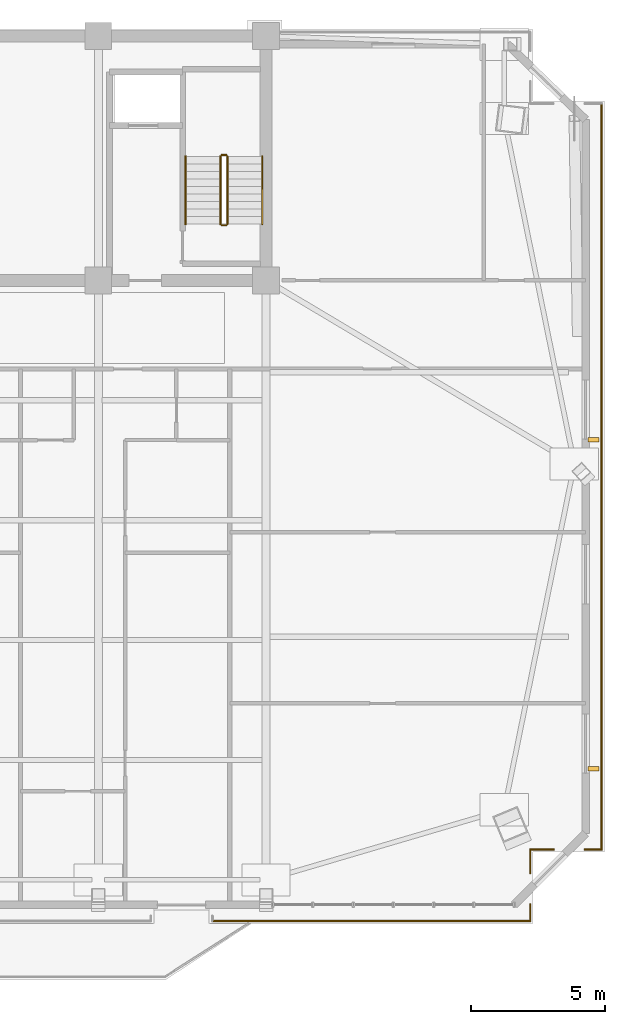
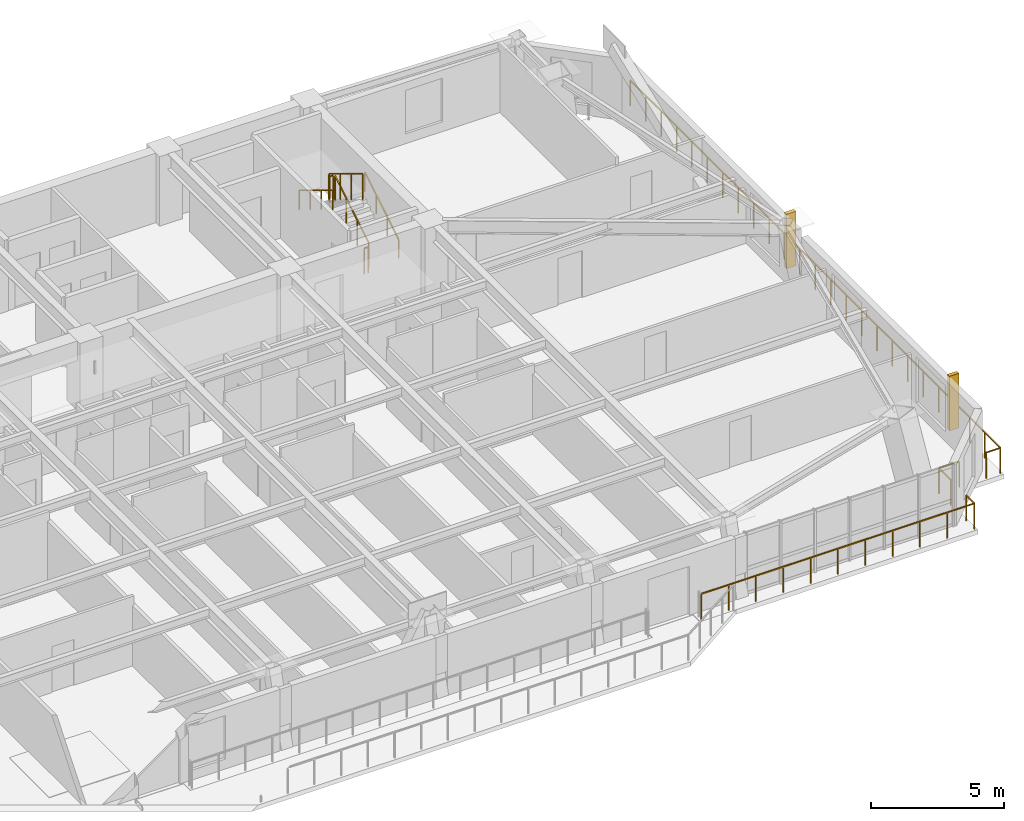
# One storey, part 17 of 18: 12 railings, 2 shading devices.
"""IFC4 building model written with IfcOpenShell, lengths in metres."""

from ifc_helpers import new_model, si_unit, direction, frame, origin, origin_2d, place, context, subcontext, project, spatial, rectangle, extrude, source, transform, mapped, material, type_object, element, save


model = new_model("IFC4")

# Units and contexts
model_context = context("Model", 3, precision=1e-05, world=origin(), true_north=direction((0.0, 1.0)))
body_context = subcontext(model_context, "Body", "Model", "MODEL_VIEW")
ifc_project = project(units=[si_unit("LENGTHUNIT", "METRE"), si_unit("AREAUNIT", "SQUARE_METRE"), si_unit("VOLUMEUNIT", "CUBIC_METRE"), si_unit("PLANEANGLEUNIT", "RADIAN"), si_unit("MASSUNIT", "GRAM", prefix="KILO")], contexts=[model_context])

# Site, building, storey
site_placement = place(None, origin())
site = spatial("IfcSite", under=ifc_project, at=site_placement, CompositionType="ELEMENT")
building_placement = place(site_placement, origin())
building = spatial("IfcBuilding", under=site, at=building_placement, Name="Giltprow Tower", CompositionType="ELEMENT")
storey_placement = place(building_placement, frame((0.0, 0.0, 245.10009765625)))
storey = spatial("IfcBuildingStorey", under=building, at=storey_placement, Name="L62", CompositionType="ELEMENT", Elevation=245.10009765625)

# Railings
ifc_material = material(Name="Anodized bronze", Category="metal")
railing_type_1 = type_object("IfcRailingType", Name="RAIL-BALC-GUARD-1200", PredefinedType="BALUSTRADE", material=ifc_material)
railing_1_placement = place(storey_placement, frame((63.052001953125, 44.0390625, 0.0)))
element("IfcRailing", 1, at=railing_1_placement, inside=storey, type_object=railing_type_1, Name="L62 Corner Apron Edge Balustrade 1", PredefinedType="BALUSTRADE", context=body_context, shape_type="SweptSolid", body=[
    extrude(rectangle(XDim=0.048095703125, YDim=0.048095703125, at=origin_2d()), frame((0.0, 0.0, 1.17578125), z_axis=(0.0, -1.0, 0.0), x_axis=(1.0, 0.0, 0.0)), (0.0, 0.0, 1.0), 27.796142578125),
    extrude(rectangle(XDim=0.0419921875, YDim=0.0419921875, at=origin_2d()), origin(), (0.0, 0.0, 1.0), 1.15185546875),
    extrude(rectangle(XDim=0.0419921875, YDim=0.0419921875, at=origin_2d()), frame((0.0, -1.158203125, 0.0)), (0.0, 0.0, 1.0), 1.15185546875),
    extrude(rectangle(XDim=0.0419921875, YDim=0.0419921875, at=origin_2d()), frame((0.0, -2.31640625, 0.0)), (0.0, 0.0, 1.0), 1.15185546875),
    extrude(rectangle(XDim=0.0419921875, YDim=0.0419921875, at=origin_2d()), frame((0.0, -3.474609375, 0.0)), (0.0, 0.0, 1.0), 1.15185546875),
    extrude(rectangle(XDim=0.0419921875, YDim=0.0419921875, at=origin_2d()), frame((0.0, -4.6328125, 0.0)), (0.0, 0.0, 1.0), 1.15185546875),
    extrude(rectangle(XDim=0.0419921875, YDim=0.0419921875, at=origin_2d()), frame((0.0, -5.790771484375, 0.0)), (0.0, 0.0, 1.0), 1.15185546875),
    extrude(rectangle(XDim=0.0419921875, YDim=0.0419921875, at=origin_2d()), frame((0.0, -6.948974609375, 0.0)), (0.0, 0.0, 1.0), 1.15185546875),
    extrude(rectangle(XDim=0.0419921875, YDim=0.0419921875, at=origin_2d()), frame((0.0, -8.107177734375, 0.0)), (0.0, 0.0, 1.0), 1.15185546875),
    extrude(rectangle(XDim=0.0419921875, YDim=0.0419921875, at=origin_2d()), frame((0.0, -9.265380859375, 0.0)), (0.0, 0.0, 1.0), 1.15185546875),
    extrude(rectangle(XDim=0.0419921875, YDim=0.0419921875, at=origin_2d()), frame((0.0, -10.423583984375, 0.0)), (0.0, 0.0, 1.0), 1.15185546875),
    extrude(rectangle(XDim=0.0419921875, YDim=0.0419921875, at=origin_2d()), frame((0.0, -11.581787109375, 0.0)), (0.0, 0.0, 1.0), 1.15185546875),
    extrude(rectangle(XDim=0.0419921875, YDim=0.0419921875, at=origin_2d()), frame((0.0, -12.739990234375, 0.0)), (0.0, 0.0, 1.0), 1.15185546875),
    extrude(rectangle(XDim=0.0419921875, YDim=0.0419921875, at=origin_2d()), frame((0.0, -13.89794921875, 0.0)), (0.0, 0.0, 1.0), 1.15185546875),
    extrude(rectangle(XDim=0.0419921875, YDim=0.0419921875, at=origin_2d()), frame((0.0, -15.05615234375, 0.0)), (0.0, 0.0, 1.0), 1.15185546875),
    extrude(rectangle(XDim=0.0419921875, YDim=0.0419921875, at=origin_2d()), frame((0.0, -16.21435546875, 0.0)), (0.0, 0.0, 1.0), 1.15185546875),
    extrude(rectangle(XDim=0.0419921875, YDim=0.0419921875, at=origin_2d()), frame((0.0, -17.37255859375, 0.0)), (0.0, 0.0, 1.0), 1.15185546875),
    extrude(rectangle(XDim=0.0419921875, YDim=0.0419921875, at=origin_2d()), frame((0.0, -18.53076171875, 0.0)), (0.0, 0.0, 1.0), 1.15185546875),
    extrude(rectangle(XDim=0.0419921875, YDim=0.0419921875, at=origin_2d()), frame((0.0, -19.68896484375, 0.0)), (0.0, 0.0, 1.0), 1.15185546875),
    extrude(rectangle(XDim=0.0419921875, YDim=0.0419921875, at=origin_2d()), frame((0.0, -20.84716796875, 0.0)), (0.0, 0.0, 1.0), 1.15185546875),
    extrude(rectangle(XDim=0.0419921875, YDim=0.0419921875, at=origin_2d()), frame((0.0, -22.00537109375, 0.0)), (0.0, 0.0, 1.0), 1.15185546875),
    extrude(rectangle(XDim=0.0419921875, YDim=0.0419921875, at=origin_2d()), frame((0.0, -23.16357421875, 0.0)), (0.0, 0.0, 1.0), 1.15185546875),
    extrude(rectangle(XDim=0.0419921875, YDim=0.0419921875, at=origin_2d()), frame((0.0, -24.321533203125, 0.0)), (0.0, 0.0, 1.0), 1.15185546875),
    extrude(rectangle(XDim=0.0419921875, YDim=0.0419921875, at=origin_2d()), frame((0.0, -25.479736328125, 0.0)), (0.0, 0.0, 1.0), 1.15185546875),
    extrude(rectangle(XDim=0.0419921875, YDim=0.0419921875, at=origin_2d()), frame((0.0, -26.637939453125, 0.0)), (0.0, 0.0, 1.0), 1.15185546875),
    extrude(rectangle(XDim=0.0419921875, YDim=0.0419921875, at=origin_2d()), frame((0.0, -27.796142578125, 0.0)), (0.0, 0.0, 1.0), 1.15185546875),
])
railing_2_placement = place(storey_placement, frame((63.052001953125, 16.242919921875, 0.0)))
element("IfcRailing", 2, at=railing_2_placement, inside=storey, type_object=railing_type_1, Name="L62 Corner Apron Edge Balustrade 2", PredefinedType="BALUSTRADE", context=body_context, shape_type="SweptSolid", body=[
    extrude(rectangle(XDim=0.048095703125, YDim=0.048095703125, at=origin_2d()), frame((0.0, 0.0, 1.17578125), z_axis=(-1.0, 0.0, 0.0), x_axis=(0.0, -1.0, 0.0)), (0.0, 0.0, 1.0), 0.6201171875),
    extrude(rectangle(XDim=0.0419921875, YDim=0.0419921875, at=origin_2d()), origin(), (0.0, 0.0, 1.0), 1.15185546875),
    extrude(rectangle(XDim=0.0419921875, YDim=0.0419921875, at=origin_2d()), frame((-0.6201171875, 0.0, 0.0)), (0.0, 0.0, 1.0), 1.15185546875),
])
railing_3_placement = place(storey_placement, frame((61.27197265625, 16.242919921875, 0.0)))
element("IfcRailing", 3, at=railing_3_placement, inside=storey, type_object=railing_type_1, Name="L62 Corner Apron Edge Balustrade 3", PredefinedType="BALUSTRADE", context=body_context, shape_type="SweptSolid", body=[
    extrude(rectangle(XDim=0.048095703125, YDim=0.048095703125, at=origin_2d()), frame((0.0, 0.0, 1.17578125), z_axis=(-1.0, 0.0, 0.0), x_axis=(0.0, -1.0, 0.0)), (0.0, 0.0, 1.0), 0.880859375),
    extrude(rectangle(XDim=0.0419921875, YDim=0.0419921875, at=origin_2d()), origin(), (0.0, 0.0, 1.0), 1.15185546875),
    extrude(rectangle(XDim=0.0419921875, YDim=0.0419921875, at=origin_2d()), frame((-0.880859375, 0.0, 0.0)), (0.0, 0.0, 1.0), 1.15185546875),
])
railing_4_placement = place(storey_placement, frame((60.39111328125, 16.242919921875, 0.0)))
element("IfcRailing", 4, at=railing_4_placement, inside=storey, type_object=railing_type_1, Name="L62 Corner Apron Edge Balustrade 4", PredefinedType="BALUSTRADE", context=body_context, shape_type="SweptSolid", body=[
    extrude(rectangle(XDim=0.048095703125, YDim=0.048095703125, at=origin_2d()), frame((0.0, 0.0, 1.17578125), z_axis=(0.0, -1.0, 0.0), x_axis=(1.0, 0.0, 0.0)), (0.0, 0.0, 1.0), 0.880859375),
    extrude(rectangle(XDim=0.0419921875, YDim=0.0419921875, at=origin_2d()), origin(), (0.0, 0.0, 1.0), 1.15185546875),
    extrude(rectangle(XDim=0.0419921875, YDim=0.0419921875, at=origin_2d()), frame((0.0, -0.880859375, 0.0)), (0.0, 0.0, 1.0), 1.15185546875),
])
railing_5_placement = place(storey_placement, frame((60.39111328125, 14.201904296875, 0.0)))
element("IfcRailing", 5, at=railing_5_placement, inside=storey, type_object=railing_type_1, Name="L62 Corner Apron Edge Balustrade 5", PredefinedType="BALUSTRADE", context=body_context, shape_type="SweptSolid", body=[
    extrude(rectangle(XDim=0.048095703125, YDim=0.048095703125, at=origin_2d()), frame((0.0, 0.0, 1.17578125), z_axis=(0.0, -1.0, 0.0), x_axis=(1.0, 0.0, 0.0)), (0.0, 0.0, 1.0), 0.619873046875),
    extrude(rectangle(XDim=0.0419921875, YDim=0.0419921875, at=origin_2d()), origin(), (0.0, 0.0, 1.0), 1.15185546875),
    extrude(rectangle(XDim=0.0419921875, YDim=0.0419921875, at=origin_2d()), frame((0.0, -0.619873046875, 0.0)), (0.0, 0.0, 1.0), 1.15185546875),
])
railing_6_placement = place(storey_placement, frame((60.39111328125, 13.58203125, 0.0)))
element("IfcRailing", 6, at=railing_6_placement, inside=storey, type_object=railing_type_1, Name="L62 Corner Apron Edge Balustrade 6", PredefinedType="BALUSTRADE", context=body_context, shape_type="SweptSolid", body=[
    extrude(rectangle(XDim=0.048095703125, YDim=0.048095703125, at=origin_2d()), frame((0.0, 0.0, 1.17578125), z_axis=(-1.0, 0.0, 0.0), x_axis=(0.0, -1.0, 0.0)), (0.0, 0.0, 1.0), 11.841064453125),
    extrude(rectangle(XDim=0.0419921875, YDim=0.0419921875, at=origin_2d()), origin(), (0.0, 0.0, 1.0), 1.15185546875),
    extrude(rectangle(XDim=0.0419921875, YDim=0.0419921875, at=origin_2d()), frame((-1.18408203125, 0.0, 0.0)), (0.0, 0.0, 1.0), 1.15185546875),
    extrude(rectangle(XDim=0.0419921875, YDim=0.0419921875, at=origin_2d()), frame((-2.3681640625, 0.0, 0.0)), (0.0, 0.0, 1.0), 1.15185546875),
    extrude(rectangle(XDim=0.0419921875, YDim=0.0419921875, at=origin_2d()), frame((-3.55224609375, 0.0, 0.0)), (0.0, 0.0, 1.0), 1.15185546875),
    extrude(rectangle(XDim=0.0419921875, YDim=0.0419921875, at=origin_2d()), frame((-4.736328125, 0.0, 0.0)), (0.0, 0.0, 1.0), 1.15185546875),
    extrude(rectangle(XDim=0.0419921875, YDim=0.0419921875, at=origin_2d()), frame((-5.92041015625, 0.0, 0.0)), (0.0, 0.0, 1.0), 1.15185546875),
    extrude(rectangle(XDim=0.0419921875, YDim=0.0419921875, at=origin_2d()), frame((-7.104736328125, 0.0, 0.0)), (0.0, 0.0, 1.0), 1.15185546875),
    extrude(rectangle(XDim=0.0419921875, YDim=0.0419921875, at=origin_2d()), frame((-8.288818359375, 0.0, 0.0)), (0.0, 0.0, 1.0), 1.15185546875),
    extrude(rectangle(XDim=0.0419921875, YDim=0.0419921875, at=origin_2d()), frame((-9.472900390625, 0.0, 0.0)), (0.0, 0.0, 1.0), 1.15185546875),
    extrude(rectangle(XDim=0.0419921875, YDim=0.0419921875, at=origin_2d()), frame((-10.656982421875, 0.0, 0.0)), (0.0, 0.0, 1.0), 1.15185546875),
    extrude(rectangle(XDim=0.0419921875, YDim=0.0419921875, at=origin_2d()), frame((-11.841064453125, 0.0, 0.0)), (0.0, 0.0, 1.0), 1.15185546875),
])
railing_type_2 = type_object("IfcRailingType", Name="RAIL-STAIR-GUARD-1200", PredefinedType="GUARDRAIL", material=ifc_material)
railing_7_placement = place(storey_placement, frame((49.110107421875, 39.550048828125, 0.169921875)))
element("IfcRailing", 7, at=railing_7_placement, inside=storey, type_object=railing_type_2, Name="L62 ST-3 stair guard 1", PredefinedType="GUARDRAIL", context=body_context, shape_type="SweptSolid", body=[
    extrude(rectangle(XDim=0.048095703125, YDim=0.048095703125, at=origin_2d()), frame((0.0, 0.0, 1.17578125), z_axis=(0.0, 0.85478489116, 0.518982456201), x_axis=(-1.0, 0.0, 0.0)), (0.0, 0.0, 1.0), 2.9482421875),
    extrude(rectangle(XDim=0.0419921875, YDim=0.0419921875, at=origin_2d()), origin(), (0.0, 0.0, 1.0), 1.15185546875),
    extrude(rectangle(XDim=0.0419921875, YDim=0.0419921875, at=origin_2d()), frame((0.0, 0.840087890625, 0.510009765625)), (0.0, 0.0, 1.0), 1.15185546875),
    extrude(rectangle(XDim=0.0419921875, YDim=0.0419921875, at=origin_2d()), frame((0.0, 1.679931640625, 1.02001953125)), (0.0, 0.0, 1.0), 1.15185546875),
    extrude(rectangle(XDim=0.0419921875, YDim=0.0419921875, at=origin_2d()), frame((0.0, 2.52001953125, 1.530029296875)), (0.0, 0.0, 1.0), 1.15185546875),
])
railing_8_placement = place(storey_placement, frame((49.06005859375, 42.1201171875, 1.699951171875)))
element("IfcRailing", 8, at=railing_8_placement, inside=storey, type_object=railing_type_2, Name="L62 ST-3 stair guard 2", PredefinedType="GUARDRAIL", context=body_context, shape_type="SweptSolid", body=[
    extrude(rectangle(XDim=0.048095703125, YDim=0.048095703125, at=origin_2d()), frame((0.0, 0.0, 1.17578125), z_axis=(-1.0, 0.0, 0.0), x_axis=(0.0, -1.0, 0.0)), (0.0, 0.0, 1.0), 0.16015625),
    extrude(rectangle(XDim=0.0419921875, YDim=0.0419921875, at=origin_2d()), origin(), (0.0, 0.0, 1.0), 1.15185546875),
    extrude(rectangle(XDim=0.0419921875, YDim=0.0419921875, at=origin_2d()), frame((-0.16015625, 0.0, 0.0)), (0.0, 0.0, 1.0), 1.15185546875),
])
railing_9_placement = place(storey_placement, frame((48.85009765625, 42.070068359375, 1.869873046875)))
element("IfcRailing", 9, at=railing_9_placement, inside=storey, type_object=railing_type_2, Name="L62 ST-3 stair guard 3", PredefinedType="GUARDRAIL", context=body_context, shape_type="SweptSolid", body=[
    extrude(rectangle(XDim=0.048095703125, YDim=0.048095703125, at=origin_2d()), frame((0.0, 0.0, 1.17578125), z_axis=(0.0, -0.85478489116, 0.518982456201), x_axis=(1.0, 0.0, 0.0)), (0.0, 0.0, 1.0), 2.9482421875),
    extrude(rectangle(XDim=0.0419921875, YDim=0.0419921875, at=origin_2d()), origin(), (0.0, 0.0, 1.0), 1.15185546875),
    extrude(rectangle(XDim=0.0419921875, YDim=0.0419921875, at=origin_2d()), frame((0.0, -0.840087890625, 0.510009765625)), (0.0, 0.0, 1.0), 1.15185546875),
    extrude(rectangle(XDim=0.0419921875, YDim=0.0419921875, at=origin_2d()), frame((0.0, -1.679931640625, 1.02001953125)), (0.0, 0.0, 1.0), 1.15185546875),
    extrude(rectangle(XDim=0.0419921875, YDim=0.0419921875, at=origin_2d()), frame((0.0, -2.52001953125, 1.530029296875)), (0.0, 0.0, 1.0), 1.15185546875),
])
railing_10_placement = place(storey_placement, frame((49.06005859375, 39.5, 0.0)))
element("IfcRailing", 10, at=railing_10_placement, inside=storey, type_object=railing_type_2, Name="L62 ST-3 stair guard 4", PredefinedType="GUARDRAIL", context=body_context, shape_type="SweptSolid", body=[
    extrude(rectangle(XDim=0.048095703125, YDim=0.048095703125, at=origin_2d()), frame((0.0, 0.0, 1.17578125), z_axis=(-1.0, 0.0, 0.0), x_axis=(0.0, -1.0, 0.0)), (0.0, 0.0, 1.0), 0.16015625),
    extrude(rectangle(XDim=0.0419921875, YDim=0.0419921875, at=origin_2d()), origin(), (0.0, 0.0, 1.0), 1.15185546875),
    extrude(rectangle(XDim=0.0419921875, YDim=0.0419921875, at=origin_2d()), frame((-0.16015625, 0.0, 0.0)), (0.0, 0.0, 1.0), 1.15185546875),
])
railing_type_3 = type_object("IfcRailingType", Name="RAIL-STAIR-HAND-900", PredefinedType="HANDRAIL", material=ifc_material)
railing_11_placement = place(storey_placement, frame((50.409912109375, 39.550048828125, 0.169921875)))
element("IfcRailing", 11, at=railing_11_placement, inside=storey, type_object=railing_type_3, Name="L62 ST-3 stair handrail 1", PredefinedType="HANDRAIL", context=body_context, shape_type="SweptSolid", body=[
    extrude(rectangle(XDim=0.048095703125, YDim=0.048095703125, at=origin_2d()), frame((0.0, 0.0, 0.8759765625), z_axis=(0.0, 0.85478489116, 0.518982456201), x_axis=(-1.0, 0.0, 0.0)), (0.0, 0.0, 1.0), 2.9482421875),
    extrude(rectangle(XDim=0.0419921875, YDim=0.0419921875, at=origin_2d()), origin(), (0.0, 0.0, 1.0), 0.851806640625),
    extrude(rectangle(XDim=0.0419921875, YDim=0.0419921875, at=origin_2d()), frame((0.0, 0.840087890625, 0.510009765625)), (0.0, 0.0, 1.0), 0.851806640625),
    extrude(rectangle(XDim=0.0419921875, YDim=0.0419921875, at=origin_2d()), frame((0.0, 1.679931640625, 1.02001953125)), (0.0, 0.0, 1.0), 0.851806640625),
    extrude(rectangle(XDim=0.0419921875, YDim=0.0419921875, at=origin_2d()), frame((0.0, 2.52001953125, 1.530029296875)), (0.0, 0.0, 1.0), 0.851806640625),
])
railing_12_placement = place(storey_placement, frame((47.550048828125, 42.070068359375, 1.869873046875)))
element("IfcRailing", 12, at=railing_12_placement, inside=storey, type_object=railing_type_3, Name="L62 ST-3 stair handrail 2", PredefinedType="HANDRAIL", context=body_context, shape_type="SweptSolid", body=[
    extrude(rectangle(XDim=0.048095703125, YDim=0.048095703125, at=origin_2d()), frame((0.0, 0.0, 0.8759765625), z_axis=(0.0, -0.85478489116, 0.518982456201), x_axis=(1.0, 0.0, 0.0)), (0.0, 0.0, 1.0), 2.9482421875),
    extrude(rectangle(XDim=0.0419921875, YDim=0.0419921875, at=origin_2d()), origin(), (0.0, 0.0, 1.0), 0.851806640625),
    extrude(rectangle(XDim=0.0419921875, YDim=0.0419921875, at=origin_2d()), frame((0.0, -0.840087890625, 0.510009765625)), (0.0, 0.0, 1.0), 0.851806640625),
    extrude(rectangle(XDim=0.0419921875, YDim=0.0419921875, at=origin_2d()), frame((0.0, -1.679931640625, 1.02001953125)), (0.0, 0.0, 1.0), 0.851806640625),
    extrude(rectangle(XDim=0.0419921875, YDim=0.0419921875, at=origin_2d()), frame((0.0, -2.52001953125, 1.530029296875)), (0.0, 0.0, 1.0), 0.851806640625),
])

# Shading devices
shading_device_type = type_object("IfcShadingDeviceType", Name="SHD-FIN-420", PredefinedType="USERDEFINED", material=ifc_material)
shared_shape = source(origin(), body_context, "Body", "SweptSolid", [
    extrude(rectangle(XDim=0.419921875, YDim=0.159912109375, at=origin_2d()), origin(), (0.0, 0.0, 1.0), 2.5),
])
for number, where, z_axis, x_axis, name in (
    (13, (62.751953125, 19.2548828125, 0.349853515625), (0.0, 0.0, 1.0), (1.0, 0.0, 0.0), "L62 E Bronze Vertical Fin 1-1"),
    (14, (62.751953125, 31.510009765625, 0.349853515625), (0.0, 0.0, 1.0), (1.0, 0.0, 0.0), "L62 E Bronze Vertical Fin 2-1"),
):
    element("IfcShadingDevice", number, at=place(storey_placement, frame(where, z_axis=z_axis, x_axis=x_axis)), inside=storey, type_object=shading_device_type, Name=name, ObjectType="FIN", PredefinedType="USERDEFINED", context=body_context, shape_type="MappedRepresentation", body=[
        mapped(shared_shape, transform((0.0, 0.0, 0.0), x_axis=(1.0, 0.0, 0.0), y_axis=(0.0, 1.0, 0.0), z_axis=(0.0, 0.0, 1.0), scale=1.0)),
    ])

save(model, "model.ifc")
